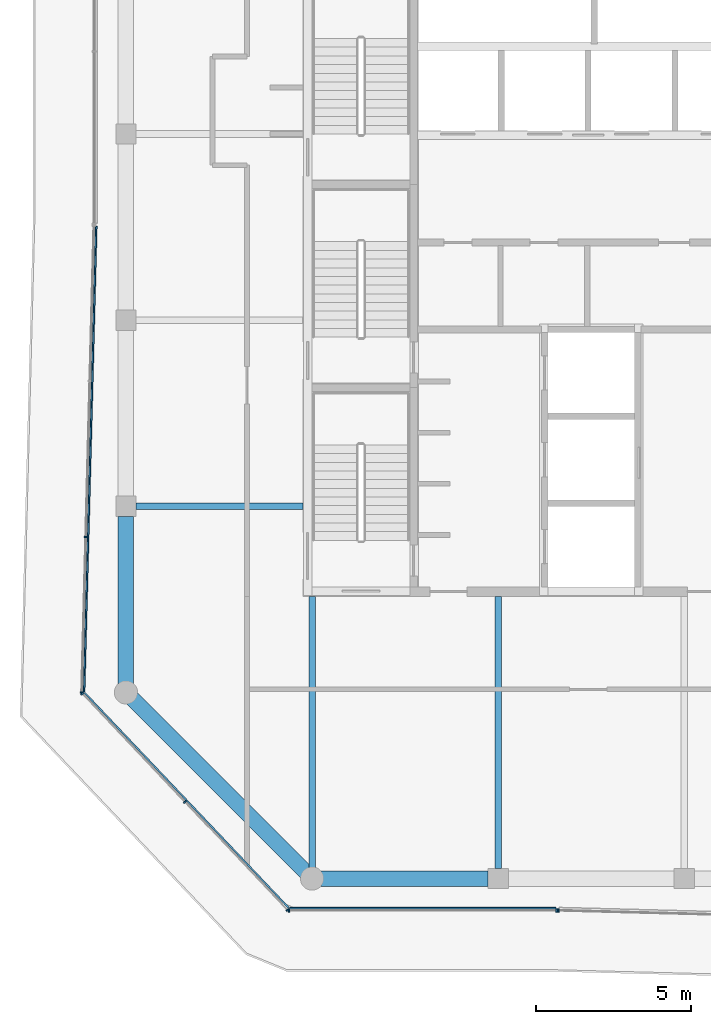
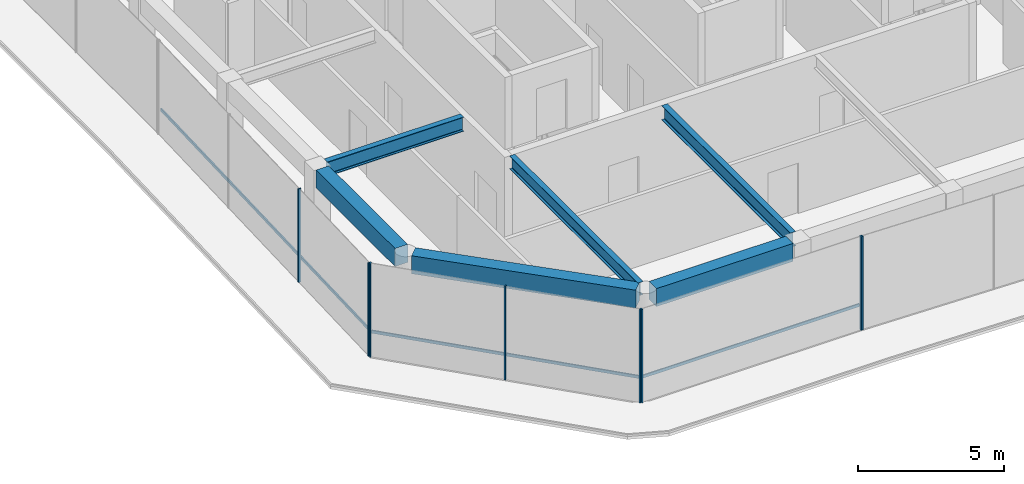
# One storey, part 2 of 15: 11 members, 6 beams, 4 elements without a shape of their own.
"""IFC4 building model written with IfcOpenShell, lengths in metres."""

from ifc_helpers import new_model, si_unit, direction, frame, origin, origin_2d, place, context, subcontext, project, spatial, rectangle, i_section, extrude, material, layer, layer_set, material_profile, profile_set, type_object, element, aggregate, save


model = new_model("IFC4")

# Units and contexts
model_context = context("Model", 3, precision=1e-05, world=origin(), true_north=direction((0.0, 1.0)))
body_context = subcontext(model_context, "Body", "Model", "MODEL_VIEW")
ifc_project = project(units=[si_unit("LENGTHUNIT", "METRE"), si_unit("AREAUNIT", "SQUARE_METRE"), si_unit("VOLUMEUNIT", "CUBIC_METRE"), si_unit("PLANEANGLEUNIT", "RADIAN"), si_unit("MASSUNIT", "GRAM", prefix="KILO")], contexts=[model_context])

# Site, building, storey
site_placement = place(None, origin())
site = spatial("IfcSite", under=ifc_project, at=site_placement, CompositionType="ELEMENT")
building_placement = place(site_placement, origin())
building = spatial("IfcBuilding", under=site, at=building_placement, Name="Welwitschia Terrace Campus", CompositionType="ELEMENT")
storey_placement = place(building_placement, frame((0.0, 0.0, 339.800048828125)))
storey = spatial("IfcBuildingStorey", under=building, at=storey_placement, Name="L76", CompositionType="ELEMENT", Elevation=339.800048828125)

# Beam
ifc_material_1 = material(Name="Steel S355", Category="steel")
ifc_material_profile_1 = material_profile(ifc_material_1, i_section(OverallWidth=0.2099609375, OverallDepth=0.550048828125, WebThickness=0.010986328125, FlangeThickness=0.01708984375, FilletRadius=0.02392578125, at=origin_2d()))
ifc_profile_set_1 = profile_set([ifc_material_profile_1], Name="Steel S355")
beam_type_1 = type_object("IfcBeamType", Name="Interior girder IPE 550", PredefinedType="BEAM", material=ifc_profile_set_1)
beam_1_placement = place(storey_placement, frame((6.0, -3.6494140625, 3.625), z_axis=(0.0, 1.0, 0.0), x_axis=(-1.0, 0.0, 0.0)))
element("IfcBeam", 1, at=beam_1_placement, inside=storey, type_object=beam_type_1, Name="Girder GB7", PredefinedType="BEAM", context=body_context, shape_type="SweptSolid", body=[
    extrude(i_section(OverallWidth=0.2099609375, OverallDepth=0.550048828125, WebThickness=0.010986328125, FlangeThickness=0.01708984375, FilletRadius=0.02392578125, at=origin_2d()), origin(), (0.0, 0.0, 1.0), 8.74853515625),
])

# Curtain wall, members
ifc_material_2 = material(Name="Bronze anodised aluminium", Category="aluminium")
ifc_layer = layer(ifc_material_2, 0.10009765625)
ifc_layer_set = layer_set([ifc_layer], Name="Bronze anodised aluminium")
curtain_wall_type = type_object("IfcCurtainWallType", Name="Curtain wall CW5 crown 6000", PredefinedType="NOTDEFINED", material=ifc_layer_set)
curtain_wall_1_placement = place(storey_placement, origin())
curtain_wall_1 = element("IfcCurtainWall", 2, at=curtain_wall_1_placement, inside=storey, type_object=curtain_wall_type, Name="CW L76.0.0", PredefinedType="NOTDEFINED")
ifc_material_3 = material(Name="Bronze anodised aluminium", Category="aluminium")
ifc_material_profile_2 = material_profile(ifc_material_3, rectangle(XDim=0.10009765625, YDim=0.050048828125, at=origin_2d()))
ifc_profile_set_2 = profile_set([ifc_material_profile_2], Name="Bronze anodised aluminium")
member_type_1 = type_object("IfcMemberType", Name="Mullion 50x100", PredefinedType="MULLION", material=ifc_profile_set_2)
member_1_placement = place(storey_placement, frame((-1.293701171875, 7.01025390625, 0.0), z_axis=(0.0, 0.0, 1.0), x_axis=(0.999657324976, -0.026176948308, 0.0)))
member_1 = element("IfcMember", 3, at=member_1_placement, type_object=member_type_1, Name="Mullion L76.0.0.2", PredefinedType="MULLION", context=body_context, shape_type="SweptSolid", body=[
    extrude(rectangle(XDim=0.10009765625, YDim=0.050048828125, at=origin_2d()), origin(), (0.0, 0.0, 1.0), 3.89990234375),
])
member_2_placement = place(storey_placement, frame((-1.4248046875, 2.002197265625, 0.0), z_axis=(0.0, 0.0, 1.0), x_axis=(0.999657324976, -0.026176948308, 0.0)))
member_2 = element("IfcMember", 4, at=member_2_placement, type_object=member_type_1, Name="Mullion L76.0.0.3", PredefinedType="MULLION", context=body_context, shape_type="SweptSolid", body=[
    extrude(rectangle(XDim=0.10009765625, YDim=0.050048828125, at=origin_2d()), origin(), (0.0, 0.0, 1.0), 3.89990234375),
])

curtain_wall_2_placement = place(storey_placement, origin())
curtain_wall_2 = element("IfcCurtainWall", 5, at=curtain_wall_2_placement, inside=storey, type_object=curtain_wall_type, Name="CW L76.1.0", PredefinedType="NOTDEFINED")
member_3_placement = place(storey_placement, frame((-1.408203125, 1.959228515625, 0.0), z_axis=(0.0, 0.0, 1.0), x_axis=(0.725374371012, 0.688354575694, 0.0)))
member_3 = element("IfcMember", 6, at=member_3_placement, type_object=member_type_1, Name="Mullion L76.1.0.0", PredefinedType="MULLION", context=body_context, shape_type="SweptSolid", body=[
    extrude(rectangle(XDim=0.10009765625, YDim=0.050048828125, at=origin_2d()), origin(), (0.0, 0.0, 1.0), 3.89990234375),
])
member_4_placement = place(storey_placement, frame((1.8994140625, -1.5263671875, 0.0), z_axis=(0.0, 0.0, 1.0), x_axis=(0.725374371012, 0.688354575694, 0.0)))
member_4 = element("IfcMember", 7, at=member_4_placement, type_object=member_type_1, Name="Mullion L76.1.0.1", PredefinedType="MULLION", context=body_context, shape_type="SweptSolid", body=[
    extrude(rectangle(XDim=0.10009765625, YDim=0.050048828125, at=origin_2d()), origin(), (0.0, 0.0, 1.0), 3.89990234375),
])
member_5_placement = place(storey_placement, frame((5.20703125, -5.011962890625, 0.0), z_axis=(0.0, 0.0, 1.0), x_axis=(0.725374371012, 0.688354575694, 0.0)))
member_5 = element("IfcMember", 8, at=member_5_placement, type_object=member_type_1, Name="Mullion L76.1.0.2", PredefinedType="MULLION", context=body_context, shape_type="SweptSolid", body=[
    extrude(rectangle(XDim=0.10009765625, YDim=0.050048828125, at=origin_2d()), origin(), (0.0, 0.0, 1.0), 3.89990234375),
])

curtain_wall_3_placement = place(storey_placement, origin())
curtain_wall_3 = element("IfcCurtainWall", 9, at=curtain_wall_3_placement, inside=storey, type_object=curtain_wall_type, Name="CW L76.2.0", PredefinedType="NOTDEFINED")
member_6_placement = place(storey_placement, frame((5.249267578125, -5.030029296875, 0.0), z_axis=(0.0, 0.0, 1.0), x_axis=(0.0, 1.0, 0.0)))
member_6 = element("IfcMember", 10, at=member_6_placement, type_object=member_type_1, Name="Mullion L76.2.0.0", PredefinedType="MULLION", context=body_context, shape_type="SweptSolid", body=[
    extrude(rectangle(XDim=0.10009765625, YDim=0.050048828125, at=origin_2d()), origin(), (0.0, 0.0, 1.0), 3.89990234375),
])
member_7_placement = place(storey_placement, frame((13.888427734375, -5.030029296875, 0.0), z_axis=(0.0, 0.0, 1.0), x_axis=(0.0, 1.0, 0.0)))
member_7 = element("IfcMember", 11, at=member_7_placement, type_object=member_type_1, Name="Mullion L76.2.0.1", PredefinedType="MULLION", context=body_context, shape_type="SweptSolid", body=[
    extrude(rectangle(XDim=0.10009765625, YDim=0.050048828125, at=origin_2d()), origin(), (0.0, 0.0, 1.0), 3.89990234375),
])

# Curtain wall, member
curtain_wall_4_placement = place(storey_placement, origin())
curtain_wall_4 = element("IfcCurtainWall", 12, at=curtain_wall_4_placement, inside=storey, type_object=curtain_wall_type, Name="CW L76.3.0", PredefinedType="NOTDEFINED")
member_8_placement = place(storey_placement, frame((13.938232421875, -5.03076171875, 0.0), z_axis=(0.0, 0.0, 1.0), x_axis=(0.026176948308, 0.999657324976, 0.0)))
member_8 = element("IfcMember", 13, at=member_8_placement, type_object=member_type_1, Name="Mullion L76.3.0.0", PredefinedType="MULLION", context=body_context, shape_type="SweptSolid", body=[
    extrude(rectangle(XDim=0.10009765625, YDim=0.050048828125, at=origin_2d()), origin(), (0.0, 0.0, 1.0), 3.89990234375),
])
aggregate(curtain_wall_4, [member_8])

# Beams
ifc_material_4 = material(Name="Steel S355", Category="steel")
ifc_material_profile_3 = material_profile(ifc_material_4, i_section(OverallWidth=0.219970703125, OverallDepth=0.60009765625, WebThickness=0.011962890625, FlangeThickness=0.01904296875, FilletRadius=0.02392578125, at=origin_2d()))
ifc_profile_set_3 = profile_set([ifc_material_profile_3], Name="Steel S355")
beam_type_2 = type_object("IfcBeamType", Name="Primary beam IPE 600", PredefinedType="BEAM", material=ifc_profile_set_3)
beam_2_placement = place(storey_placement, frame((12.0, -3.674560546875, 3.599853515625), z_axis=(0.0, 1.0, 0.0), x_axis=(-1.0, 0.0, 0.0)))
element("IfcBeam", 14, at=beam_2_placement, inside=storey, type_object=beam_type_2, Name="Primary beam PB7", PredefinedType="BEAM", context=body_context, shape_type="SweptSolid", body=[
    extrude(i_section(OverallWidth=0.219970703125, OverallDepth=0.60009765625, WebThickness=0.011962890625, FlangeThickness=0.01904296875, FilletRadius=0.02392578125, at=origin_2d()), origin(), (0.0, 0.0, 1.0), 8.774658203125),
])
beam_3_placement = place(storey_placement, frame((0.325439453125, 8.0, 3.599853515625), z_axis=(1.0, 0.0, 0.0), x_axis=(0.0, 1.0, 0.0)))
element("IfcBeam", 15, at=beam_3_placement, inside=storey, type_object=beam_type_2, Name="Primary beam PB7", PredefinedType="BEAM", context=body_context, shape_type="SweptSolid", body=[
    extrude(i_section(OverallWidth=0.219970703125, OverallDepth=0.60009765625, WebThickness=0.011962890625, FlangeThickness=0.01904296875, FilletRadius=0.02392578125, at=origin_2d()), origin(), (0.0, 0.0, 1.0), 5.37451171875),
])
ifc_material_5 = material(Name="Concrete C40/50", Category="concrete")
ifc_material_profile_4 = material_profile(ifc_material_5, rectangle(XDim=0.5, YDim=0.75, at=origin_2d()))
ifc_profile_set_4 = profile_set([ifc_material_profile_4], Name="Concrete C40/50")
beam_type_3 = type_object("IfcBeamType", Name="Ring spandrel 500x750", PredefinedType="SPANDREL", material=ifc_profile_set_4)
beam_4_placement = place(storey_placement, frame((0.1982421875, 1.8017578125, 3.52490234375), z_axis=(0.707106781187, -0.707106781187, 0.0), x_axis=(0.707106781187, 0.707106781187, 0.0)))
element("IfcBeam", 16, at=beam_4_placement, inside=storey, type_object=beam_type_3, Name="Spandrel SP5", PredefinedType="SPANDREL", context=body_context, shape_type="SweptSolid", body=[
    extrude(rectangle(XDim=0.5, YDim=0.75, at=origin_2d()), origin(), (0.0, 0.0, 1.0), 7.924560546875),
])
for number, where, z_axis, x_axis, name in (
    (17, (6.280517578125, -4.0, 3.52490234375), (1.0, 0.0, 0.0), (0.0, 1.0, 0.0), "Spandrel SP5"),
    (18, (0.0, 7.674560546875, 3.52490234375), (0.0, -1.0, 0.0), (1.0, 0.0, 0.0), "Spandrel SP5"),
):
    element("IfcBeam", number, at=place(storey_placement, frame(where, z_axis=z_axis, x_axis=x_axis)), inside=storey, type_object=beam_type_3, Name=name, PredefinedType="SPANDREL", context=body_context, shape_type="SweptSolid", body=[
        extrude(rectangle(XDim=0.5, YDim=0.75, at=origin_2d()), origin(), (0.0, 0.0, 1.0), 5.39404296875),
    ])

# Member
ifc_material_6 = material(Name="Bronze anodised aluminium", Category="aluminium")
ifc_material_profile_5 = material_profile(ifc_material_6, rectangle(XDim=0.050048828125, YDim=0.1201171875, at=origin_2d()))
ifc_profile_set_5 = profile_set([ifc_material_profile_5], Name="Bronze anodised aluminium")
member_type_2 = type_object("IfcMemberType", Name="Transom 50x120", PredefinedType="USERDEFINED", material=ifc_profile_set_5)
member_9_placement = place(storey_placement, frame((-0.956298828125, 17.024169921875, 1.0), z_axis=(-0.026181304669, -0.999657210891, 0.0), x_axis=(0.999657210891, -0.026181304669, 0.0)))
member_9 = element("IfcMember", 19, at=member_9_placement, type_object=member_type_2, Name="Transom L76.0.0", ObjectType="TRANSOM", PredefinedType="USERDEFINED", context=body_context, shape_type="SweptSolid", body=[
    extrude(rectangle(XDim=0.050048828125, YDim=0.1201171875, at=origin_2d()), origin(), (0.0, 0.0, 1.0), 15.00390625),
])

aggregate(curtain_wall_1, [member_1, member_2, member_9])

member_10_placement = place(storey_placement, frame((-1.336669921875, 1.99267578125, 1.0), z_axis=(0.688363463664, -0.72536593654, 0.0), x_axis=(0.72536593654, 0.688363463664, 0.0)))
member_10 = element("IfcMember", 20, at=member_10_placement, type_object=member_type_2, Name="Transom L76.1.0", ObjectType="TRANSOM", PredefinedType="USERDEFINED", context=body_context, shape_type="SweptSolid", body=[
    extrude(rectangle(XDim=0.050048828125, YDim=0.1201171875, at=origin_2d()), origin(), (0.0, 0.0, 1.0), 9.560546875),
])

aggregate(curtain_wall_2, [member_3, member_4, member_5, member_10])

member_11_placement = place(storey_placement, frame((5.274169921875, -4.955078125, 1.0), z_axis=(1.0, 0.0, 0.0), x_axis=(0.0, 1.0, 0.0)))
member_11 = element("IfcMember", 21, at=member_11_placement, type_object=member_type_2, Name="Transom L76.2.0", ObjectType="TRANSOM", PredefinedType="USERDEFINED", context=body_context, shape_type="SweptSolid", body=[
    extrude(rectangle(XDim=0.050048828125, YDim=0.1201171875, at=origin_2d()), origin(), (0.0, 0.0, 1.0), 8.589111328125),
])

aggregate(curtain_wall_3, [member_6, member_7, member_11])

save(model, "model.ifc")
